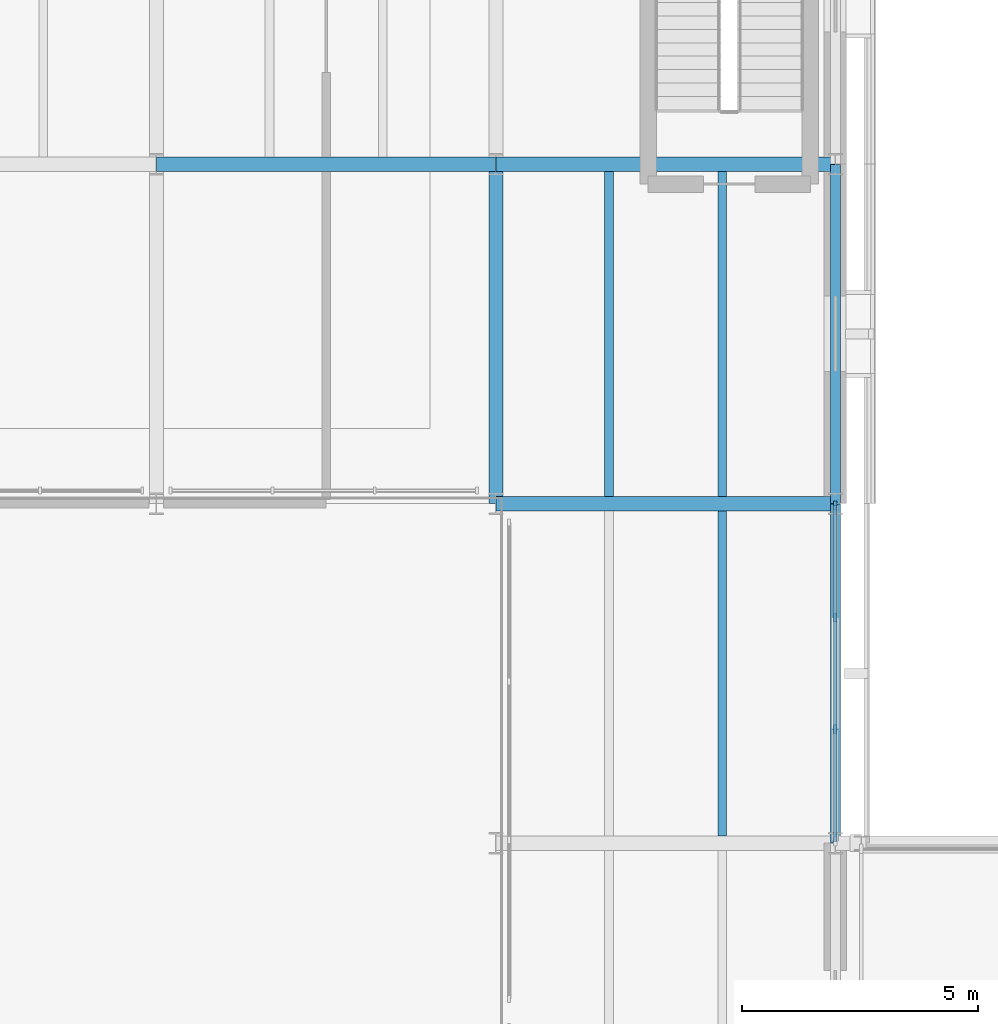
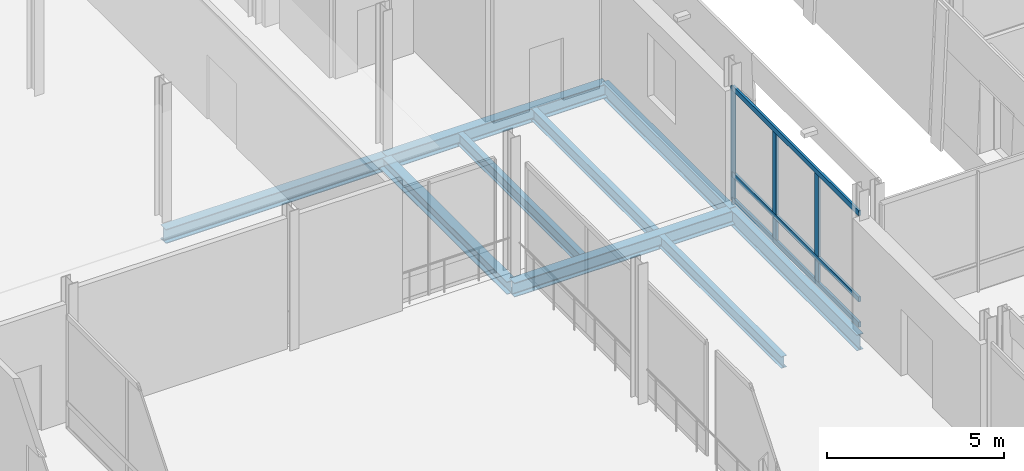
# One storey, part 31 of 121: 9 beams, 6 members, 1 element without a shape of its own.
"""IFC4 building model written with IfcOpenShell, lengths in metres."""

from ifc_helpers import new_model, si_unit, direction, frame, origin, origin_2d, place, context, subcontext, project, spatial, rectangle, i_section, extrude, material, layer, layer_set, material_profile, profile_set, type_object, element, aggregate, save


model = new_model("IFC4")

# Units and contexts
model_context = context("Model", 3, precision=1e-05, world=origin(), true_north=direction((0.0, 1.0)))
body_context = subcontext(model_context, "Body", "Model", "MODEL_VIEW")
ifc_project = project(units=[si_unit("LENGTHUNIT", "METRE"), si_unit("AREAUNIT", "SQUARE_METRE"), si_unit("VOLUMEUNIT", "CUBIC_METRE"), si_unit("PLANEANGLEUNIT", "RADIAN"), si_unit("MASSUNIT", "GRAM", prefix="KILO")], contexts=[model_context])

# Site, building, storey
site_placement = place(None, origin())
site = spatial("IfcSite", under=ifc_project, at=site_placement, CompositionType="ELEMENT")
building_placement = place(site_placement, origin())
building = spatial("IfcBuilding", under=site, at=building_placement, Name="Narikvali Park Central Library", CompositionType="ELEMENT")
storey_placement = place(building_placement, frame((0.0, 0.0, 5.39990234375)))
storey = spatial("IfcBuildingStorey", under=building, at=storey_placement, Name="L01", CompositionType="ELEMENT", Elevation=5.39990234375)

# Curtain wall, members
ifc_material_1 = material(Name="Anodised Bronze Aluminium", Category="aluminium")
ifc_layer = layer(ifc_material_1, 0.219970703125, Name="Anodised Bronze Aluminium")
ifc_layer_set = layer_set([ifc_layer], Name="Anodised Bronze Aluminium")
curtain_wall_type = type_object("IfcCurtainWallType", Name="Atrium Tall Curtain Wall System", PredefinedType="NOTDEFINED", material=ifc_layer_set)
curtain_wall_placement = place(storey_placement, origin())
curtain_wall = element("IfcCurtainWall", 1, at=curtain_wall_placement, inside=storey, type_object=curtain_wall_type, Name="Atrium Tall Curtain Wall System CW-V4-L01-E-05", PredefinedType="NOTDEFINED")
ifc_material_profile_1 = material_profile(ifc_material_1, rectangle(XDim=0.074951171875, YDim=0.179931640625, at=origin_2d()), Name="CW TRANSOM 75x180")
ifc_profile_set_1 = profile_set([ifc_material_profile_1], Name="Anodised Bronze Aluminium")
member_type_1 = type_object("IfcMemberType", Name="Curtain Wall Heavy Transom 75x180", PredefinedType="USERDEFINED", material=ifc_profile_set_1)
member_1_placement = place(storey_placement, frame((57.60009765625, 79.238037109375, 0.030029296875), z_axis=(0.0, 1.0, 0.0), x_axis=(-1.0, 0.0, 0.0)))
member_1 = element("IfcMember", 2, at=member_1_placement, type_object=member_type_1, Name="CW-V4-L01-E-05 Transom 00", ObjectType="TRANSOM", PredefinedType="USERDEFINED", context=body_context, shape_type="SweptSolid", body=[
    extrude(rectangle(XDim=0.074951171875, YDim=0.179931640625, at=origin_2d()), origin(), (0.0, 0.0, 1.0), 7.1240234375),
])
member_2_placement = place(storey_placement, frame((57.60009765625, 79.238037109375, 0.900146484375), z_axis=(0.0, 1.0, 0.0), x_axis=(-1.0, 0.0, 0.0)))
member_2 = element("IfcMember", 3, at=member_2_placement, type_object=member_type_1, Name="CW-V4-L01-E-05 Transom 01", ObjectType="TRANSOM", PredefinedType="USERDEFINED", context=body_context, shape_type="SweptSolid", body=[
    extrude(rectangle(XDim=0.074951171875, YDim=0.179931640625, at=origin_2d()), origin(), (0.0, 0.0, 1.0), 7.1240234375),
])
member_3_placement = place(storey_placement, frame((57.60009765625, 79.238037109375, 3.8701171875), z_axis=(0.0, 1.0, 0.0), x_axis=(-1.0, 0.0, 0.0)))
member_3 = element("IfcMember", 4, at=member_3_placement, type_object=member_type_1, Name="CW-V4-L01-E-05 Transom 02", ObjectType="TRANSOM", PredefinedType="USERDEFINED", context=body_context, shape_type="SweptSolid", body=[
    extrude(rectangle(XDim=0.074951171875, YDim=0.179931640625, at=origin_2d()), origin(), (0.0, 0.0, 1.0), 7.1240234375),
])
ifc_material_profile_2 = material_profile(ifc_material_1, rectangle(XDim=0.070068359375, YDim=0.199951171875, at=origin_2d()), Name="CW MULLION 70x200")
ifc_profile_set_2 = profile_set([ifc_material_profile_2], Name="Anodised Bronze Aluminium")
member_type_2 = type_object("IfcMemberType", Name="Curtain Wall Mullion 70x200", PredefinedType="MULLION", material=ifc_profile_set_2)
member_4_placement = place(storey_placement, frame((57.60009765625, 81.61279296875, -0.010009765625), z_axis=(0.0, 0.0, 1.0), x_axis=(1.0, 0.0, 0.0)))
member_4 = element("IfcMember", 5, at=member_4_placement, type_object=member_type_2, Name="CW-V4-L01-E-05 Mullion 01", PredefinedType="MULLION", context=body_context, shape_type="SweptSolid", body=[
    extrude(rectangle(XDim=0.070068359375, YDim=0.199951171875, at=origin_2d()), origin(), (0.0, 0.0, 1.0), 3.91015625),
])
member_5_placement = place(storey_placement, frame((57.60009765625, 83.9873046875, -0.010009765625), z_axis=(0.0, 0.0, 1.0), x_axis=(1.0, 0.0, 0.0)))
member_5 = element("IfcMember", 6, at=member_5_placement, type_object=member_type_2, Name="CW-V4-L01-E-05 Mullion 02", PredefinedType="MULLION", context=body_context, shape_type="SweptSolid", body=[
    extrude(rectangle(XDim=0.070068359375, YDim=0.199951171875, at=origin_2d()), origin(), (0.0, 0.0, 1.0), 3.91015625),
])
member_6_placement = place(storey_placement, frame((57.60009765625, 86.362060546875, -0.010009765625), z_axis=(0.0, 0.0, 1.0), x_axis=(1.0, 0.0, 0.0)))
member_6 = element("IfcMember", 7, at=member_6_placement, type_object=member_type_2, Name="CW-V4-L01-E-05 Mullion 03", PredefinedType="MULLION", context=body_context, shape_type="SweptSolid", body=[
    extrude(rectangle(XDim=0.070068359375, YDim=0.199951171875, at=origin_2d()), origin(), (0.0, 0.0, 1.0), 3.91015625),
])
aggregate(curtain_wall, [member_4, member_5, member_6, member_1, member_2, member_3])

# Beams
ifc_material_2 = material(Name="Steel S355", Category="steel")
ifc_material_profile_3 = material_profile(ifc_material_2, i_section(OverallWidth=0.181884765625, OverallDepth=0.404052734375, WebThickness=0.009765625, FlangeThickness=0.015380859375, FilletRadius=0.02099609375, at=origin_2d()), Name="IPEO 400")
ifc_profile_set_3 = profile_set([ifc_material_profile_3], Name="Steel S355")
beam_type_1 = type_object("IfcBeamType", Name="Gallery Floor Joist IPEO400", PredefinedType="JOIST", material=ifc_profile_set_3)
for number, where, z_axis, x_axis, name in (
    (8, (55.199951171875, 79.35009765625, -0.48193359375), (0.0, 1.0, 0.0), (-1.0, 0.0, 0.0), "V4 L01 Composite Joist 2"),
    (9, (52.800048828125, 86.550048828125, -0.48193359375), (0.0, 1.0, 0.0), (-1.0, 0.0, 0.0), "V4 L01 Composite Joist 1"),
    (10, (55.199951171875, 86.550048828125, -0.48193359375), (0.0, 1.0, 0.0), (-1.0, 0.0, 0.0), "V4 L01 Composite Joist 2"),
):
    element("IfcBeam", number, at=place(storey_placement, frame(where, z_axis=z_axis, x_axis=x_axis)), inside=storey, type_object=beam_type_1, Name=name, PredefinedType="JOIST", context=body_context, shape_type="SweptSolid", body=[
        extrude(i_section(OverallWidth=0.181884765625, OverallDepth=0.404052734375, WebThickness=0.009765625, FlangeThickness=0.015380859375, FilletRadius=0.02099609375, at=origin_2d()), origin(), (0.0, 0.0, 1.0), 6.89990234375),
    ])
ifc_material_profile_4 = material_profile(ifc_material_2, i_section(OverallWidth=0.2099609375, OverallDepth=0.550048828125, WebThickness=0.010986328125, FlangeThickness=0.01708984375, FilletRadius=0.02392578125, at=origin_2d()), Name="IPE 550")
ifc_profile_set_4 = profile_set([ifc_material_profile_4], Name="Steel S355")
beam_type_2 = type_object("IfcBeamType", Name="Perimeter Spandrel IPE550", PredefinedType="SPANDREL", material=ifc_profile_set_4)
for number, where, z_axis, x_axis, name in (
    (11, (57.60009765625, 79.2080078125, -0.554931640625), (0.0, 1.0, 0.0), (-1.0, 0.0, 0.0), "V4 L01 Girder Y"),
    (12, (57.60009765625, 86.407958984375, -0.554931640625), (0.0, 1.0, 0.0), (-1.0, 0.0, 0.0), "V4 L01 Girder Y"),
):
    element("IfcBeam", number, at=place(storey_placement, frame(where, z_axis=z_axis, x_axis=x_axis)), inside=storey, type_object=beam_type_2, Name=name, PredefinedType="SPANDREL", context=body_context, shape_type="SweptSolid", body=[
        extrude(i_section(OverallWidth=0.2099609375, OverallDepth=0.550048828125, WebThickness=0.010986328125, FlangeThickness=0.01708984375, FilletRadius=0.02392578125, at=origin_2d()), origin(), (0.0, 0.0, 1.0), 7.18408203125),
    ])
ifc_material_profile_5 = material_profile(ifc_material_2, i_section(OverallWidth=0.300048828125, OverallDepth=0.43994140625, WebThickness=0.011474609375, FlangeThickness=0.02099609375, FilletRadius=0.027099609375, at=origin_2d()), Name="HEA 450")
ifc_profile_set_5 = profile_set([ifc_material_profile_5], Name="Steel S355")
beam_type_3 = type_object("IfcBeamType", Name="Primary Girder HEA450", PredefinedType="BEAM", material=ifc_profile_set_5)
beam_placement = place(storey_placement, frame((50.39990234375, 86.407958984375, -0.5), z_axis=(0.0, 1.0, 0.0), x_axis=(-1.0, 0.0, 0.0)))
element("IfcBeam", 13, at=beam_placement, inside=storey, type_object=beam_type_3, Name="V4 L01 Girder Y", PredefinedType="BEAM", context=body_context, shape_type="SweptSolid", body=[
    extrude(i_section(OverallWidth=0.300048828125, OverallDepth=0.43994140625, WebThickness=0.011474609375, FlangeThickness=0.02099609375, FilletRadius=0.027099609375, at=origin_2d()), origin(), (0.0, 0.0, 1.0), 7.18408203125),
])
ifc_material_profile_6 = material_profile(ifc_material_2, i_section(OverallWidth=0.300048828125, OverallDepth=0.489990234375, WebThickness=0.011962890625, FlangeThickness=0.02294921875, FilletRadius=0.027099609375, at=origin_2d()), Name="HEA 500")
ifc_profile_set_6 = profile_set([ifc_material_profile_6], Name="Steel S355")
beam_type_4 = type_object("IfcBeamType", Name="Primary Girder HEA500", PredefinedType="BEAM", material=ifc_profile_set_6)
for number, where, z_axis, x_axis, name in (
    (14, (50.407958984375, 86.39990234375, -0.52490234375), (1.0, 0.0, 0.0), (0.0, 1.0, 0.0), "V4 L01 Girder X"),
    (15, (43.2080078125, 93.60009765625, -0.52490234375), (1.0, 0.0, 0.0), (0.0, 1.0, 0.0), "V4 L01 Girder X"),
    (16, (50.407958984375, 93.60009765625, -0.52490234375), (1.0, 0.0, 0.0), (0.0, 1.0, 0.0), "V4 L01 Girder X"),
):
    element("IfcBeam", number, at=place(storey_placement, frame(where, z_axis=z_axis, x_axis=x_axis)), inside=storey, type_object=beam_type_4, Name=name, PredefinedType="BEAM", context=body_context, shape_type="SweptSolid", body=[
        extrude(i_section(OverallWidth=0.300048828125, OverallDepth=0.489990234375, WebThickness=0.011962890625, FlangeThickness=0.02294921875, FilletRadius=0.027099609375, at=origin_2d()), origin(), (0.0, 0.0, 1.0), 7.18408203125),
    ])

save(model, "model.ifc")
